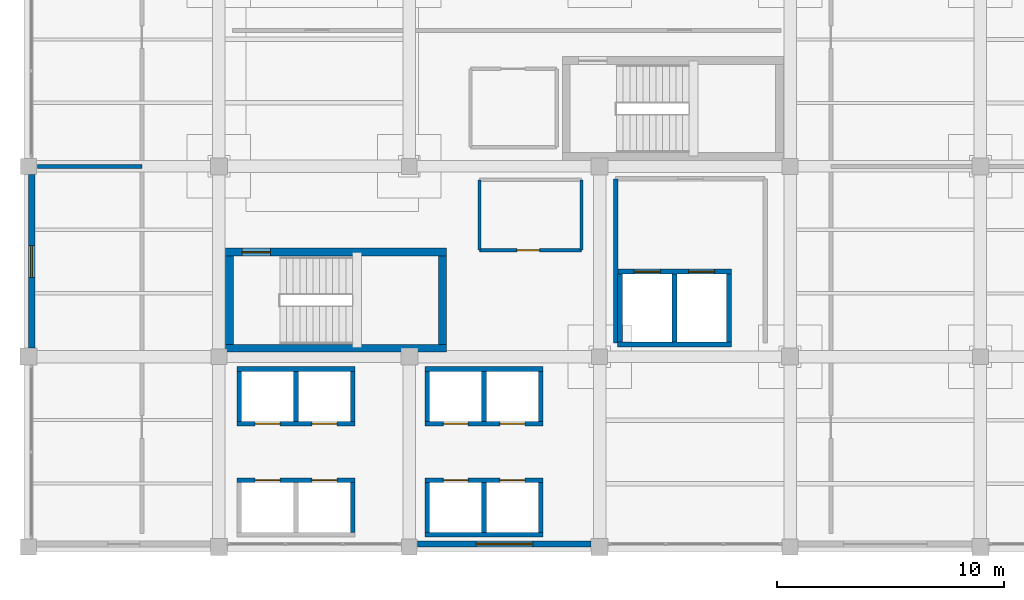
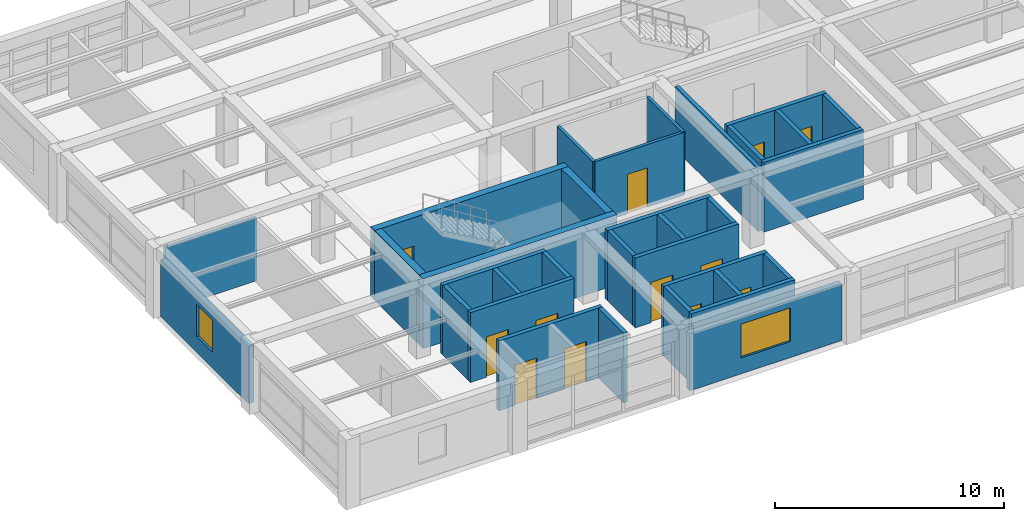
# One storey, part 28 of 31: 33 walls, 12 doors, 2 windows, 14 openings.
"""IFC4 building model written with IfcOpenShell, lengths in metres."""

from ifc_helpers import new_model, si_unit, direction, frame, frame_2d, origin, place, context, subcontext, project, spatial, rectangle, extrude, material, layer, layer_set, type_object, element, fill, save


model = new_model("IFC4")

# Units and contexts
model_context = context("Model", 3, precision=1e-05, world=origin(), true_north=direction((0.0, 1.0)))
body_context = subcontext(model_context, "Body", "Model", "MODEL_VIEW")
ifc_project = project(units=[si_unit("LENGTHUNIT", "METRE"), si_unit("AREAUNIT", "SQUARE_METRE"), si_unit("VOLUMEUNIT", "CUBIC_METRE"), si_unit("PLANEANGLEUNIT", "RADIAN"), si_unit("MASSUNIT", "GRAM", prefix="KILO")], contexts=[model_context])

# Site, building, storey
site_placement = place(None, origin())
site = spatial("IfcSite", under=ifc_project, at=site_placement, CompositionType="ELEMENT")
building_placement = place(site_placement, origin())
building = spatial("IfcBuilding", under=site, at=building_placement, Name="Almacenes y Pasaje Nevantli", CompositionType="ELEMENT")
storey_placement = place(building_placement, frame((0.0, 0.0, 34.699951171875)))
storey = spatial("IfcBuildingStorey", under=building, at=storey_placement, Name="L08", CompositionType="ELEMENT", Elevation=34.699951171875)

# Walls
ifc_material_1 = material(Name="Insulated Double-Gypsum Fire Partition", Category="gypsum")
ifc_layer_1 = layer(ifc_material_1, 0.179931640625)
ifc_layer_set_1 = layer_set([ifc_layer_1], Name="Insulated Double-Gypsum Fire Partition")
wall_type_1 = type_object("IfcWallType", Name="WL-COMP-180", PredefinedType="PARTITIONING", material=ifc_layer_set_1)
wall_1_placement = place(storey_placement, frame((109.60009765625, 84.0, 0.0), z_axis=(0.0, 0.0, 1.0), x_axis=(1.0, 0.0, 0.0)))
element("IfcWall", 1, at=wall_1_placement, inside=storey, type_object=wall_type_1, Name="L08 Interior Partition Wall IW-180 #155", PredefinedType="PARTITIONING", context=body_context, shape_type="SweptSolid", body=[
    extrude(rectangle(XDim=4.599853515625, YDim=0.179931640625, at=frame_2d((2.2998046875, 0.0))), origin(), (0.0, 0.0, 1.0), 3.340087890625),
])
ifc_material_2 = material(Name="Fire-Rated Concrete Blockwork", Category="masonry")
ifc_layer_2 = layer(ifc_material_2, 0.199951171875)
ifc_layer_set_2 = layer_set([ifc_layer_2], Name="Fire-Rated Concrete Blockwork")
wall_type_2 = type_object("IfcWallType", Name="WL-COMP-200", PredefinedType="PARTITIONING", material=ifc_layer_set_2)
wall_2_placement = place(storey_placement, frame((135.10009765625, 76.199951171875, 0.0), z_axis=(0.0, 0.0, 1.0), x_axis=(0.0, 1.0, 0.0)))
element("IfcWall", 2, at=wall_2_placement, inside=storey, type_object=wall_type_2, Name="L08 Interior Partition Wall IW-200 #144", PredefinedType="PARTITIONING", context=body_context, shape_type="SweptSolid", body=[
    extrude(rectangle(XDim=7.25, YDim=0.199951171875, at=frame_2d((3.625, 0.0))), origin(), (0.0, 0.0, 1.0), 3.340087890625),
])
ifc_material_3 = material(Name="Concrete C45/55", Category="concrete")
ifc_layer_3 = layer(ifc_material_3, 0.35009765625)
ifc_layer_set_3 = layer_set([ifc_layer_3], Name="Concrete C45/55")
wall_type_3 = type_object("IfcWallType", Name="WL-CORE-350", PredefinedType="SHEAR", material=ifc_layer_set_3)
wall_3_placement = place(storey_placement, frame((117.89990234375, 75.97509765625, 0.0), z_axis=(0.0, 0.0, 1.0), x_axis=(1.0, 0.0, 0.0)))
element("IfcWall", 3, at=wall_3_placement, inside=storey, type_object=wall_type_3, Name="L08 Exit Stair ST-01 South Core Shear Wall", PredefinedType="SHEAR", context=body_context, shape_type="SweptSolid", body=[
    extrude(rectangle(XDim=9.75, YDim=0.35009765625, at=frame_2d((4.875, 0.0))), origin(), (0.0, 0.0, 1.0), 3.719970703125),
])

# Wall, opening, door
wall_4_placement = place(storey_placement, frame((117.89990234375, 80.215087890625, 0.0), z_axis=(0.0, 0.0, 1.0), x_axis=(1.0, 0.0, 0.0)))
wall_4 = element("IfcWall", 4, at=wall_4_placement, inside=storey, type_object=wall_type_3, Name="L08 Exit Stair ST-01 North Core Shear Wall", PredefinedType="SHEAR", context=body_context, shape_type="SweptSolid", body=[
    extrude(rectangle(XDim=9.75, YDim=0.35009765625, at=frame_2d((4.875, 0.0))), origin(), (0.0, 0.0, 1.0), 3.719970703125),
])
opening_1_placement = place(wall_4_placement, frame((0.719970703125, 0.0, 0.0)))
opening_1 = element("IfcOpeningElement", 5, at=opening_1_placement, cuts=wall_4, Name="Opening SD-01-L08", PredefinedType="OPENING", context=body_context, shape_type="SweptSolid", body=[
    extrude(rectangle(XDim=1.25, YDim=2.199951171875, at=frame_2d((0.625, 1.10009765625))), frame((0.0, 0.18505859375, 0.0), z_axis=(0.0, -1.0, 0.0), x_axis=(1.0, 0.0, 0.0)), (0.0, 0.0, 1.0), 0.3701171875),
])
ifc_material_4 = material(Name="Galvanized Fire-Rated Steel", Category="steel")
door_type_1 = type_object("IfcDoorType", Name="DR-STAIR-1250", OperationType="SINGLE_SWING_LEFT", PredefinedType="DOOR", material=ifc_material_4)
door_1_placement = place(opening_1_placement, origin())
door_1 = element("IfcDoor", 6, at=door_1_placement, inside=storey, type_object=door_type_1, Name="L08 Smokeproof Exit Stair ST-01 Fire Door", OperationType="SINGLE_SWING_LEFT", OverallHeight=2.199951171875, OverallWidth=1.25, PredefinedType="DOOR", context=body_context, shape_type="SweptSolid", body=[
    extrude(rectangle(XDim=1.25, YDim=2.199951171875, at=frame_2d((0.625, 1.10009765625))), frame((0.0, 0.02490234375, 0.0), z_axis=(0.0, -1.0, 0.0), x_axis=(1.0, 0.0, 0.0)), (0.0, 0.0, 1.0), 0.050048828125),
])
fill(opening_1, door_1)

# Walls
for number, where, z_axis, x_axis, name in (
    (7, (118.074951171875, 76.14990234375, 0.0), (0.0, 0.0, 1.0), (0.0, 1.0, 0.0), "L08 Exit Stair ST-01 West Core Shear Wall"),
    (8, (127.47509765625, 76.14990234375, 0.0), (0.0, 0.0, 1.0), (0.0, 1.0, 0.0), "L08 Exit Stair ST-01 East Core Shear Wall"),
):
    element("IfcWall", number, at=place(storey_placement, frame(where, z_axis=z_axis, x_axis=x_axis)), inside=storey, type_object=wall_type_3, Name=name, PredefinedType="SHEAR", context=body_context, shape_type="SweptSolid", body=[
        extrude(rectangle(XDim=3.89013671875, YDim=0.35009765625, at=frame_2d((1.945068359375, 0.0))), origin(), (0.0, 0.0, 1.0), 3.719970703125),
    ])

# Wall, opening, window
ifc_material_5 = material(Name="Architectural Precast Concrete C35/45 Spandrel Wall", Category="concrete")
ifc_layer_4 = layer(ifc_material_5, 0.280029296875)
ifc_layer_set_4 = layer_set([ifc_layer_4], Name="Architectural Precast Concrete C35/45 Spandrel Wall")
wall_type_4 = type_object("IfcWallType", Name="WL-EXT-CANTERA-280", PredefinedType="SOLIDWALL", material=ifc_layer_set_4)
wall_5_placement = place(storey_placement, frame((109.340087890625, 75.97802734375, 0.0), z_axis=(0.0, 0.0, 1.0), x_axis=(0.0, 1.0, 0.0)))
wall_5 = element("IfcWall", 9, at=wall_5_placement, inside=storey, type_object=wall_type_4, Name="L08 Tower West Cantera Wall Bay 10", PredefinedType="SOLIDWALL", context=body_context, shape_type="SweptSolid", body=[
    extrude(rectangle(XDim=7.669921875, YDim=0.280029296875, at=frame_2d((3.8349609375, 0.0))), origin(), (0.0, 0.0, 1.0), 3.0400390625),
])
opening_2_placement = place(wall_5_placement, frame((3.1220703125, 0.0, 0.85009765625)))
opening_2 = element("IfcOpeningElement", 10, at=opening_2_placement, cuts=wall_5, Name="Opening WT-34-219", PredefinedType="OPENING", context=body_context, shape_type="SweptSolid", body=[
    extrude(rectangle(XDim=1.39990234375, YDim=1.699951171875, at=frame_2d((0.699951171875, 0.85009765625))), frame((0.0, 0.14990234375, 0.0), z_axis=(0.0, -1.0, 0.0), x_axis=(1.0, 0.0, 0.0)), (0.0, 0.0, 1.0), 0.300048828125),
])
ifc_material_6 = material(Name="Thermally Broken Aluminium and Low-E Double Glazing", Category="aluminium")
window_type_1 = type_object("IfcWindowType", Name="WN-TWR-1400x1700", PartitioningType="SINGLE_PANEL", PredefinedType="WINDOW", material=ifc_material_6)
window_1_placement = place(opening_2_placement, origin())
window_1 = element("IfcWindow", 11, at=window_1_placement, inside=storey, type_object=window_type_1, Name="L08 Exterior Window WT-34 #219", OverallHeight=1.699951171875, OverallWidth=1.39990234375, PartitioningType="SINGLE_PANEL", PredefinedType="WINDOW", context=body_context, shape_type="SweptSolid", body=[
    extrude(rectangle(XDim=1.39990234375, YDim=1.699951171875, at=frame_2d((0.699951171875, 0.85009765625))), frame((0.0, 0.030029296875, 0.0), z_axis=(0.0, -1.0, 0.0), x_axis=(1.0, 0.0, 0.0)), (0.0, 0.0, 1.0), 0.06005859375),
])
fill(opening_2, window_1)

ifc_material_7 = material(Name="Cream Architectural Precast Concrete C35/45 Wall", Category="concrete")
ifc_layer_5 = layer(ifc_material_7, 0.260009765625)
ifc_layer_set_5 = layer_set([ifc_layer_5], Name="Cream Architectural Precast Concrete C35/45 Wall")
wall_type_5 = type_object("IfcWallType", Name="WL-EXT-PRECAST-260", PredefinedType="SOLIDWALL", material=ifc_layer_set_5)
wall_6_placement = place(storey_placement, frame((126.35205078125, 67.340087890625, 0.0), z_axis=(0.0, 0.0, 1.0), x_axis=(1.0, 0.0, 0.0)))
wall_6 = element("IfcWall", 12, at=wall_6_placement, inside=storey, type_object=wall_type_5, Name="L08 Tower South Precast Spandrel Wall Bay 16", PredefinedType="SOLIDWALL", context=body_context, shape_type="SweptSolid", body=[
    extrude(rectangle(XDim=7.669921875, YDim=0.260009765625, at=frame_2d((3.8349609375, 0.0))), origin(), (0.0, 0.0, 1.0), 3.0400390625),
])
opening_3_placement = place(wall_6_placement, frame((2.597900390625, 0.0, 0.85009765625)))
opening_3 = element("IfcOpeningElement", 13, at=opening_3_placement, cuts=wall_6, Name="Opening WT-30-214", PredefinedType="OPENING", context=body_context, shape_type="SweptSolid", body=[
    extrude(rectangle(XDim=2.5, YDim=1.800048828125, at=frame_2d((1.25, 0.89990234375))), frame((0.0, 0.139892578125, 0.0), z_axis=(0.0, -1.0, 0.0), x_axis=(1.0, 0.0, 0.0)), (0.0, 0.0, 1.0), 0.280029296875),
])
ifc_material_8 = material(Name="Thermally Broken Aluminium and Low-E Double Glazing", Category="aluminium")
window_type_2 = type_object("IfcWindowType", Name="WN-TWR-2500x1800", PartitioningType="SINGLE_PANEL", PredefinedType="WINDOW", material=ifc_material_8)
window_2_placement = place(opening_3_placement, origin())
window_2 = element("IfcWindow", 14, at=window_2_placement, inside=storey, type_object=window_type_2, Name="L08 Exterior Window WT-30 #214", OverallHeight=1.800048828125, OverallWidth=2.5, PartitioningType="SINGLE_PANEL", PredefinedType="WINDOW", context=body_context, shape_type="SweptSolid", body=[
    extrude(rectangle(XDim=2.5, YDim=1.800048828125, at=frame_2d((1.25, 0.89990234375))), frame((0.0, 0.030029296875, 0.0), z_axis=(0.0, -1.0, 0.0), x_axis=(1.0, 0.0, 0.0)), (0.0, 0.0, 1.0), 0.06005859375),
])
fill(opening_3, window_2)

# Wall, opening, door
ifc_material_9 = material(Name="Acoustic Steel-Stud Gypsum Partition", Category="steel")
ifc_layer_6 = layer(ifc_material_9, 0.14990234375)
ifc_layer_set_6 = layer_set([ifc_layer_6], Name="Acoustic Steel-Stud Gypsum Partition")
wall_type_6 = type_object("IfcWallType", Name="WL-PART-150", PredefinedType="PARTITIONING", material=ifc_layer_set_6)
wall_7_placement = place(storey_placement, frame((129.10009765625, 80.300048828125, 0.0), z_axis=(0.0, 0.0, 1.0), x_axis=(1.0, 0.0, 0.0)))
wall_7 = element("IfcWall", 15, at=wall_7_placement, inside=storey, type_object=wall_type_6, Name="L08 Interior Partition Wall IW-150 #146", PredefinedType="PARTITIONING", context=body_context, shape_type="SweptSolid", body=[
    extrude(rectangle(XDim=4.5, YDim=0.14990234375, at=frame_2d((2.25, 0.0))), origin(), (0.0, 0.0, 1.0), 3.340087890625),
])
opening_4_placement = place(wall_7_placement, frame((1.64990234375, 0.0, 0.0)))
opening_4 = element("IfcOpeningElement", 16, at=opening_4_placement, cuts=wall_7, Name="Opening ID-L08-080", PredefinedType="OPENING", context=body_context, shape_type="SweptSolid", body=[
    extrude(rectangle(XDim=1.0, YDim=2.10009765625, at=frame_2d((0.5, 1.050048828125))), frame((0.0, 0.0849609375, 0.0), z_axis=(0.0, -1.0, 0.0), x_axis=(1.0, 0.0, 0.0)), (0.0, 0.0, 1.0), 0.169921875),
])
ifc_material_10 = material(Name="Powder-Coated Hollow Metal", Category="steel")
door_type_2 = type_object("IfcDoorType", Name="DR-INT-1000", OperationType="SINGLE_SWING_LEFT", PredefinedType="DOOR", material=ifc_material_10)
door_2_placement = place(opening_4_placement, origin())
door_2 = element("IfcDoor", 17, at=door_2_placement, inside=storey, type_object=door_type_2, Name="L08 Staff and Public WC Door", OperationType="SINGLE_SWING_LEFT", OverallHeight=2.10009765625, OverallWidth=1.0, PredefinedType="DOOR", context=body_context, shape_type="SweptSolid", body=[
    extrude(rectangle(XDim=1.0, YDim=2.10009765625, at=frame_2d((0.5, 1.050048828125))), frame((0.0, 0.02490234375, 0.0), z_axis=(0.0, -1.0, 0.0), x_axis=(1.0, 0.0, 0.0)), (0.0, 0.0, 1.0), 0.050048828125),
])
fill(opening_4, door_2)

# Walls
for number, where, z_axis, x_axis, name in (
    (18, (129.10009765625, 80.300048828125, 0.0), (0.0, 0.0, 1.0), (0.0, 1.0, 0.0), "L08 Interior Partition Wall IW-150 #148"),
    (19, (133.60009765625, 80.300048828125, 0.0), (0.0, 0.0, 1.0), (0.0, 1.0, 0.0), "L08 Interior Partition Wall IW-150 #149"),
):
    element("IfcWall", number, at=place(storey_placement, frame(where, z_axis=z_axis, x_axis=x_axis)), inside=storey, type_object=wall_type_6, Name=name, PredefinedType="PARTITIONING", context=body_context, shape_type="SweptSolid", body=[
        extrude(rectangle(XDim=3.099853515625, YDim=0.14990234375, at=frame_2d((1.5498046875, 0.0))), origin(), (0.0, 0.0, 1.0), 3.340087890625),
    ])
ifc_material_11 = material(Name="Concrete C45/55", Category="concrete")
ifc_layer_7 = layer(ifc_material_11, 0.2099609375)
ifc_layer_set_7 = layer_set([ifc_layer_7], Name="Concrete C45/55")
wall_type_7 = type_object("IfcWallType", Name="WL-SHAFT-210", PredefinedType="SHEAR", material=ifc_layer_set_7)
wall_8_placement = place(storey_placement, frame((126.68994140625, 67.7451171875, 0.0), z_axis=(0.0, 0.0, 1.0), x_axis=(1.0, 0.0, 0.0)))
element("IfcWall", 20, at=wall_8_placement, inside=storey, type_object=wall_type_7, Name="L08 Lift Hoistway ELV-P01-ELV-P02 South Wall", PredefinedType="SHEAR", context=body_context, shape_type="SweptSolid", body=[
    extrude(rectangle(XDim=5.219970703125, YDim=0.2099609375, at=frame_2d((2.60986328125, 0.0))), origin(), (0.0, 0.0, 1.0), 3.719970703125),
])

# Wall, openings, doors
wall_9_placement = place(storey_placement, frame((126.68994140625, 70.155029296875, 0.0), z_axis=(0.0, 0.0, 1.0), x_axis=(1.0, 0.0, 0.0)))
wall_9 = element("IfcWall", 21, at=wall_9_placement, inside=storey, type_object=wall_type_7, Name="L08 Lift Hoistway ELV-P01-ELV-P02 North Wall", PredefinedType="SHEAR", context=body_context, shape_type="SweptSolid", body=[
    extrude(rectangle(XDim=5.219970703125, YDim=0.2099609375, at=frame_2d((2.60986328125, 0.0))), origin(), (0.0, 0.0, 1.0), 3.719970703125),
])
opening_5_placement = place(wall_9_placement, frame((0.81005859375, 0.0, 0.0)))
opening_5 = element("IfcOpeningElement", 22, at=opening_5_placement, cuts=wall_9, Name="Opening LD-P01-L08", PredefinedType="OPENING", context=body_context, shape_type="SweptSolid", body=[
    extrude(rectangle(XDim=1.10009765625, YDim=2.14990234375, at=frame_2d((0.550048828125, 1.074951171875))), frame((0.0, 0.114990234375, 0.0), z_axis=(0.0, -1.0, 0.0), x_axis=(1.0, 0.0, 0.0)), (0.0, 0.0, 1.0), 0.22998046875),
])
opening_6_placement = place(wall_9_placement, frame((3.31005859375, 0.0, 0.0)))
opening_6 = element("IfcOpeningElement", 23, at=opening_6_placement, cuts=wall_9, Name="Opening LD-P02-L08", PredefinedType="OPENING", context=body_context, shape_type="SweptSolid", body=[
    extrude(rectangle(XDim=1.10009765625, YDim=2.14990234375, at=frame_2d((0.550048828125, 1.074951171875))), frame((0.0, 0.114990234375, 0.0), z_axis=(0.0, -1.0, 0.0), x_axis=(1.0, 0.0, 0.0)), (0.0, 0.0, 1.0), 0.22998046875),
])
ifc_material_12 = material(Name="Brushed Stainless Steel", Category="steel")
door_type_3 = type_object("IfcDoorType", Name="DR-LD-PASS-1100", OperationType="DOUBLE_DOOR_SLIDING", PredefinedType="DOOR", material=ifc_material_12)
door_3_placement = place(opening_5_placement, origin())
door_3 = element("IfcDoor", 24, at=door_3_placement, inside=storey, type_object=door_type_3, Name="Lift Landing Door ELV-P01 L08", OperationType="DOUBLE_DOOR_SLIDING", OverallHeight=2.14990234375, OverallWidth=1.10009765625, PredefinedType="DOOR", context=body_context, shape_type="SweptSolid", body=[
    extrude(rectangle(XDim=1.10009765625, YDim=2.14990234375, at=frame_2d((0.550048828125, 1.074951171875))), frame((0.0, 0.02490234375, 0.0), z_axis=(0.0, -1.0, 0.0), x_axis=(1.0, 0.0, 0.0)), (0.0, 0.0, 1.0), 0.050048828125),
])
fill(opening_5, door_3)
door_4_placement = place(opening_6_placement, origin())
door_4 = element("IfcDoor", 25, at=door_4_placement, inside=storey, type_object=door_type_3, Name="Lift Landing Door ELV-P02 L08", OperationType="DOUBLE_DOOR_SLIDING", OverallHeight=2.14990234375, OverallWidth=1.10009765625, PredefinedType="DOOR", context=body_context, shape_type="SweptSolid", body=[
    extrude(rectangle(XDim=1.10009765625, YDim=2.14990234375, at=frame_2d((0.550048828125, 1.074951171875))), frame((0.0, 0.02490234375, 0.0), z_axis=(0.0, -1.0, 0.0), x_axis=(1.0, 0.0, 0.0)), (0.0, 0.0, 1.0), 0.050048828125),
])
fill(opening_6, door_4)

# Walls
for number, where, z_axis, x_axis, name in (
    (26, (126.794921875, 67.85009765625, 0.0), (0.0, 0.0, 1.0), (0.0, 1.0, 0.0), "L08 Lift Hoistway ELV-P01 West Wall"),
    (27, (131.804931640625, 67.85009765625, 0.0), (0.0, 0.0, 1.0), (0.0, 1.0, 0.0), "L08 Lift Hoistway ELV-P02 East Wall"),
    (28, (129.300048828125, 67.85009765625, 0.0), (0.0, 0.0, 1.0), (0.0, 1.0, 0.0), "L08 Lift Hoistway Divider Wall ELV-P01/ELV-P02"),
):
    element("IfcWall", number, at=place(storey_placement, frame(where, z_axis=z_axis, x_axis=x_axis)), inside=storey, type_object=wall_type_7, Name=name, PredefinedType="SHEAR", context=body_context, shape_type="SweptSolid", body=[
        extrude(rectangle(XDim=2.199951171875, YDim=0.2099609375, at=frame_2d((1.10009765625, 0.0))), origin(), (0.0, 0.0, 1.0), 3.719970703125),
    ])

# Wall, openings, doors
wall_10_placement = place(storey_placement, frame((126.68994140625, 72.64501953125, 0.0), z_axis=(0.0, 0.0, 1.0), x_axis=(1.0, 0.0, 0.0)))
wall_10 = element("IfcWall", 29, at=wall_10_placement, inside=storey, type_object=wall_type_7, Name="L08 Lift Hoistway ELV-P03-ELV-P04 South Wall", PredefinedType="SHEAR", context=body_context, shape_type="SweptSolid", body=[
    extrude(rectangle(XDim=5.219970703125, YDim=0.2099609375, at=frame_2d((2.60986328125, 0.0))), origin(), (0.0, 0.0, 1.0), 3.719970703125),
])
opening_7_placement = place(wall_10_placement, frame((0.81005859375, 0.0, 0.0)))
opening_7 = element("IfcOpeningElement", 30, at=opening_7_placement, cuts=wall_10, Name="Opening LD-P03-L08", PredefinedType="OPENING", context=body_context, shape_type="SweptSolid", body=[
    extrude(rectangle(XDim=1.10009765625, YDim=2.14990234375, at=frame_2d((0.550048828125, 1.074951171875))), frame((0.0, 0.114990234375, 0.0), z_axis=(0.0, -1.0, 0.0), x_axis=(1.0, 0.0, 0.0)), (0.0, 0.0, 1.0), 0.22998046875),
])
opening_8_placement = place(wall_10_placement, frame((3.31005859375, 0.0, 0.0)))
opening_8 = element("IfcOpeningElement", 31, at=opening_8_placement, cuts=wall_10, Name="Opening LD-P04-L08", PredefinedType="OPENING", context=body_context, shape_type="SweptSolid", body=[
    extrude(rectangle(XDim=1.10009765625, YDim=2.14990234375, at=frame_2d((0.550048828125, 1.074951171875))), frame((0.0, 0.114990234375, 0.0), z_axis=(0.0, -1.0, 0.0), x_axis=(1.0, 0.0, 0.0)), (0.0, 0.0, 1.0), 0.22998046875),
])
door_5_placement = place(opening_7_placement, origin())
door_5 = element("IfcDoor", 32, at=door_5_placement, inside=storey, type_object=door_type_3, Name="Lift Landing Door ELV-P03 L08", OperationType="DOUBLE_DOOR_SLIDING", OverallHeight=2.14990234375, OverallWidth=1.10009765625, PredefinedType="DOOR", context=body_context, shape_type="SweptSolid", body=[
    extrude(rectangle(XDim=1.10009765625, YDim=2.14990234375, at=frame_2d((0.550048828125, 1.074951171875))), frame((0.0, 0.02490234375, 0.0), z_axis=(0.0, -1.0, 0.0), x_axis=(1.0, 0.0, 0.0)), (0.0, 0.0, 1.0), 0.050048828125),
])
fill(opening_7, door_5)
door_6_placement = place(opening_8_placement, origin())
door_6 = element("IfcDoor", 33, at=door_6_placement, inside=storey, type_object=door_type_3, Name="Lift Landing Door ELV-P04 L08", OperationType="DOUBLE_DOOR_SLIDING", OverallHeight=2.14990234375, OverallWidth=1.10009765625, PredefinedType="DOOR", context=body_context, shape_type="SweptSolid", body=[
    extrude(rectangle(XDim=1.10009765625, YDim=2.14990234375, at=frame_2d((0.550048828125, 1.074951171875))), frame((0.0, 0.02490234375, 0.0), z_axis=(0.0, -1.0, 0.0), x_axis=(1.0, 0.0, 0.0)), (0.0, 0.0, 1.0), 0.050048828125),
])
fill(opening_8, door_6)

# Walls
wall_11_placement = place(storey_placement, frame((126.68994140625, 75.054931640625, 0.0), z_axis=(0.0, 0.0, 1.0), x_axis=(1.0, 0.0, 0.0)))
element("IfcWall", 34, at=wall_11_placement, inside=storey, type_object=wall_type_7, Name="L08 Lift Hoistway ELV-P03-ELV-P04 North Wall", PredefinedType="SHEAR", context=body_context, shape_type="SweptSolid", body=[
    extrude(rectangle(XDim=5.219970703125, YDim=0.2099609375, at=frame_2d((2.60986328125, 0.0))), origin(), (0.0, 0.0, 1.0), 3.719970703125),
])
for number, where, z_axis, x_axis, name in (
    (35, (126.794921875, 72.75, 0.0), (0.0, 0.0, 1.0), (0.0, 1.0, 0.0), "L08 Lift Hoistway ELV-P03 West Wall"),
    (36, (131.804931640625, 72.75, 0.0), (0.0, 0.0, 1.0), (0.0, 1.0, 0.0), "L08 Lift Hoistway ELV-P04 East Wall"),
    (37, (129.300048828125, 72.75, 0.0), (0.0, 0.0, 1.0), (0.0, 1.0, 0.0), "L08 Lift Hoistway Divider Wall ELV-P03/ELV-P04"),
):
    element("IfcWall", number, at=place(storey_placement, frame(where, z_axis=z_axis, x_axis=x_axis)), inside=storey, type_object=wall_type_7, Name=name, PredefinedType="SHEAR", context=body_context, shape_type="SweptSolid", body=[
        extrude(rectangle(XDim=2.199951171875, YDim=0.2099609375, at=frame_2d((1.10009765625, 0.0))), origin(), (0.0, 0.0, 1.0), 3.719970703125),
    ])

# Wall, openings, doors
wall_12_placement = place(storey_placement, frame((118.389892578125, 70.155029296875, 0.0), z_axis=(0.0, 0.0, 1.0), x_axis=(1.0, 0.0, 0.0)))
wall_12 = element("IfcWall", 38, at=wall_12_placement, inside=storey, type_object=wall_type_7, Name="L08 Lift Hoistway ELV-P05-ELV-P06 North Wall", PredefinedType="SHEAR", context=body_context, shape_type="SweptSolid", body=[
    extrude(rectangle(XDim=5.22021484375, YDim=0.2099609375, at=frame_2d((2.610107421875, 0.0))), origin(), (0.0, 0.0, 1.0), 3.719970703125),
])
opening_9_placement = place(wall_12_placement, frame((0.81005859375, 0.0, 0.0)))
opening_9 = element("IfcOpeningElement", 39, at=opening_9_placement, cuts=wall_12, Name="Opening LD-P05-L08", PredefinedType="OPENING", context=body_context, shape_type="SweptSolid", body=[
    extrude(rectangle(XDim=1.10009765625, YDim=2.14990234375, at=frame_2d((0.550048828125, 1.074951171875))), frame((0.0, 0.114990234375, 0.0), z_axis=(0.0, -1.0, 0.0), x_axis=(1.0, 0.0, 0.0)), (0.0, 0.0, 1.0), 0.22998046875),
])
opening_10_placement = place(wall_12_placement, frame((3.31005859375, 0.0, 0.0)))
opening_10 = element("IfcOpeningElement", 40, at=opening_10_placement, cuts=wall_12, Name="Opening LD-P06-L08", PredefinedType="OPENING", context=body_context, shape_type="SweptSolid", body=[
    extrude(rectangle(XDim=1.10009765625, YDim=2.14990234375, at=frame_2d((0.550048828125, 1.074951171875))), frame((0.0, 0.114990234375, 0.0), z_axis=(0.0, -1.0, 0.0), x_axis=(1.0, 0.0, 0.0)), (0.0, 0.0, 1.0), 0.22998046875),
])
door_7_placement = place(opening_9_placement, origin())
door_7 = element("IfcDoor", 41, at=door_7_placement, inside=storey, type_object=door_type_3, Name="Lift Landing Door ELV-P05 L08", OperationType="DOUBLE_DOOR_SLIDING", OverallHeight=2.14990234375, OverallWidth=1.10009765625, PredefinedType="DOOR", context=body_context, shape_type="SweptSolid", body=[
    extrude(rectangle(XDim=1.10009765625, YDim=2.14990234375, at=frame_2d((0.550048828125, 1.074951171875))), frame((0.0, 0.02490234375, 0.0), z_axis=(0.0, -1.0, 0.0), x_axis=(1.0, 0.0, 0.0)), (0.0, 0.0, 1.0), 0.050048828125),
])
fill(opening_9, door_7)
door_8_placement = place(opening_10_placement, origin())
door_8 = element("IfcDoor", 42, at=door_8_placement, inside=storey, type_object=door_type_3, Name="Lift Landing Door ELV-P06 L08", OperationType="DOUBLE_DOOR_SLIDING", OverallHeight=2.14990234375, OverallWidth=1.10009765625, PredefinedType="DOOR", context=body_context, shape_type="SweptSolid", body=[
    extrude(rectangle(XDim=1.10009765625, YDim=2.14990234375, at=frame_2d((0.550048828125, 1.074951171875))), frame((0.0, 0.02490234375, 0.0), z_axis=(0.0, -1.0, 0.0), x_axis=(1.0, 0.0, 0.0)), (0.0, 0.0, 1.0), 0.050048828125),
])
fill(opening_10, door_8)

# Wall
wall_13_placement = place(storey_placement, frame((123.5048828125, 67.85009765625, 0.0), z_axis=(0.0, 0.0, 1.0), x_axis=(0.0, 1.0, 0.0)))
element("IfcWall", 43, at=wall_13_placement, inside=storey, type_object=wall_type_7, Name="L08 Lift Hoistway ELV-P06 East Wall", PredefinedType="SHEAR", context=body_context, shape_type="SweptSolid", body=[
    extrude(rectangle(XDim=2.199951171875, YDim=0.2099609375, at=frame_2d((1.10009765625, 0.0))), origin(), (0.0, 0.0, 1.0), 3.719970703125),
])

# Wall, openings, doors
wall_14_placement = place(storey_placement, frame((118.389892578125, 72.64501953125, 0.0), z_axis=(0.0, 0.0, 1.0), x_axis=(1.0, 0.0, 0.0)))
wall_14 = element("IfcWall", 44, at=wall_14_placement, inside=storey, type_object=wall_type_7, Name="L08 Lift Hoistway ELV-P07-ELV-P08 South Wall", PredefinedType="SHEAR", context=body_context, shape_type="SweptSolid", body=[
    extrude(rectangle(XDim=5.22021484375, YDim=0.2099609375, at=frame_2d((2.610107421875, 0.0))), origin(), (0.0, 0.0, 1.0), 3.719970703125),
])
opening_11_placement = place(wall_14_placement, frame((0.81005859375, 0.0, 0.0)))
opening_11 = element("IfcOpeningElement", 45, at=opening_11_placement, cuts=wall_14, Name="Opening LD-P07-L08", PredefinedType="OPENING", context=body_context, shape_type="SweptSolid", body=[
    extrude(rectangle(XDim=1.10009765625, YDim=2.14990234375, at=frame_2d((0.550048828125, 1.074951171875))), frame((0.0, 0.114990234375, 0.0), z_axis=(0.0, -1.0, 0.0), x_axis=(1.0, 0.0, 0.0)), (0.0, 0.0, 1.0), 0.22998046875),
])
opening_12_placement = place(wall_14_placement, frame((3.31005859375, 0.0, 0.0)))
opening_12 = element("IfcOpeningElement", 46, at=opening_12_placement, cuts=wall_14, Name="Opening LD-P08-L08", PredefinedType="OPENING", context=body_context, shape_type="SweptSolid", body=[
    extrude(rectangle(XDim=1.10009765625, YDim=2.14990234375, at=frame_2d((0.550048828125, 1.074951171875))), frame((0.0, 0.114990234375, 0.0), z_axis=(0.0, -1.0, 0.0), x_axis=(1.0, 0.0, 0.0)), (0.0, 0.0, 1.0), 0.22998046875),
])
door_9_placement = place(opening_11_placement, origin())
door_9 = element("IfcDoor", 47, at=door_9_placement, inside=storey, type_object=door_type_3, Name="Lift Landing Door ELV-P07 L08", OperationType="DOUBLE_DOOR_SLIDING", OverallHeight=2.14990234375, OverallWidth=1.10009765625, PredefinedType="DOOR", context=body_context, shape_type="SweptSolid", body=[
    extrude(rectangle(XDim=1.10009765625, YDim=2.14990234375, at=frame_2d((0.550048828125, 1.074951171875))), frame((0.0, 0.02490234375, 0.0), z_axis=(0.0, -1.0, 0.0), x_axis=(1.0, 0.0, 0.0)), (0.0, 0.0, 1.0), 0.050048828125),
])
fill(opening_11, door_9)
door_10_placement = place(opening_12_placement, origin())
door_10 = element("IfcDoor", 48, at=door_10_placement, inside=storey, type_object=door_type_3, Name="Lift Landing Door ELV-P08 L08", OperationType="DOUBLE_DOOR_SLIDING", OverallHeight=2.14990234375, OverallWidth=1.10009765625, PredefinedType="DOOR", context=body_context, shape_type="SweptSolid", body=[
    extrude(rectangle(XDim=1.10009765625, YDim=2.14990234375, at=frame_2d((0.550048828125, 1.074951171875))), frame((0.0, 0.02490234375, 0.0), z_axis=(0.0, -1.0, 0.0), x_axis=(1.0, 0.0, 0.0)), (0.0, 0.0, 1.0), 0.050048828125),
])
fill(opening_12, door_10)

# Walls
wall_15_placement = place(storey_placement, frame((118.389892578125, 75.054931640625, 0.0), z_axis=(0.0, 0.0, 1.0), x_axis=(1.0, 0.0, 0.0)))
element("IfcWall", 49, at=wall_15_placement, inside=storey, type_object=wall_type_7, Name="L08 Lift Hoistway ELV-P07-ELV-P08 North Wall", PredefinedType="SHEAR", context=body_context, shape_type="SweptSolid", body=[
    extrude(rectangle(XDim=5.22021484375, YDim=0.2099609375, at=frame_2d((2.610107421875, 0.0))), origin(), (0.0, 0.0, 1.0), 3.719970703125),
])
for number, where, z_axis, x_axis, name in (
    (50, (118.4951171875, 72.75, 0.0), (0.0, 0.0, 1.0), (0.0, 1.0, 0.0), "L08 Lift Hoistway ELV-P07 West Wall"),
    (51, (123.5048828125, 72.75, 0.0), (0.0, 0.0, 1.0), (0.0, 1.0, 0.0), "L08 Lift Hoistway ELV-P08 East Wall"),
    (52, (121.0, 72.75, 0.0), (0.0, 0.0, 1.0), (0.0, 1.0, 0.0), "L08 Lift Hoistway Divider Wall ELV-P07/ELV-P08"),
):
    element("IfcWall", number, at=place(storey_placement, frame(where, z_axis=z_axis, x_axis=x_axis)), inside=storey, type_object=wall_type_7, Name=name, PredefinedType="SHEAR", context=body_context, shape_type="SweptSolid", body=[
        extrude(rectangle(XDim=2.199951171875, YDim=0.2099609375, at=frame_2d((1.10009765625, 0.0))), origin(), (0.0, 0.0, 1.0), 3.719970703125),
    ])
wall_16_placement = place(storey_placement, frame((135.18994140625, 76.14501953125, 0.0), z_axis=(0.0, 0.0, 1.0), x_axis=(1.0, 0.0, 0.0)))
element("IfcWall", 53, at=wall_16_placement, inside=storey, type_object=wall_type_7, Name="L08 Lift Hoistway ELV-FF1-ELV-FF2 South Wall", PredefinedType="SHEAR", context=body_context, shape_type="SweptSolid", body=[
    extrude(rectangle(XDim=5.02001953125, YDim=0.2099609375, at=frame_2d((2.510009765625, 0.0))), origin(), (0.0, 0.0, 1.0), 3.719970703125),
])

# Wall, openings, doors
wall_17_placement = place(storey_placement, frame((135.18994140625, 79.35498046875, 0.0), z_axis=(0.0, 0.0, 1.0), x_axis=(1.0, 0.0, 0.0)))
wall_17 = element("IfcWall", 54, at=wall_17_placement, inside=storey, type_object=wall_type_7, Name="L08 Lift Hoistway ELV-FF1-ELV-FF2 North Wall", PredefinedType="SHEAR", context=body_context, shape_type="SweptSolid", body=[
    extrude(rectangle(XDim=5.02001953125, YDim=0.2099609375, at=frame_2d((2.510009765625, 0.0))), origin(), (0.0, 0.0, 1.0), 3.719970703125),
])
opening_13_placement = place(wall_17_placement, frame((0.735107421875, 0.0, 0.0)))
opening_13 = element("IfcOpeningElement", 55, at=opening_13_placement, cuts=wall_17, Name="Opening LD-FF1-L08", PredefinedType="OPENING", context=body_context, shape_type="SweptSolid", body=[
    extrude(rectangle(XDim=1.14990234375, YDim=2.199951171875, at=frame_2d((0.574951171875, 1.10009765625))), frame((0.0, 0.114990234375, 0.0), z_axis=(0.0, -1.0, 0.0), x_axis=(1.0, 0.0, 0.0)), (0.0, 0.0, 1.0), 0.22998046875),
])
opening_14_placement = place(wall_17_placement, frame((3.135009765625, 0.0, 0.0)))
opening_14 = element("IfcOpeningElement", 56, at=opening_14_placement, cuts=wall_17, Name="Opening LD-FF2-L08", PredefinedType="OPENING", context=body_context, shape_type="SweptSolid", body=[
    extrude(rectangle(XDim=1.14990234375, YDim=2.199951171875, at=frame_2d((0.574951171875, 1.10009765625))), frame((0.0, 0.114990234375, 0.0), z_axis=(0.0, -1.0, 0.0), x_axis=(1.0, 0.0, 0.0)), (0.0, 0.0, 1.0), 0.22998046875),
])
ifc_material_13 = material(Name="Fire-Rated Stainless Steel", Category="steel")
door_type_4 = type_object("IfcDoorType", Name="DR-LD-FF-1150", OperationType="DOUBLE_DOOR_SLIDING", PredefinedType="DOOR", material=ifc_material_13)
door_11_placement = place(opening_13_placement, origin())
door_11 = element("IfcDoor", 57, at=door_11_placement, inside=storey, type_object=door_type_4, Name="Lift Landing Door ELV-FF1 L08", OperationType="DOUBLE_DOOR_SLIDING", OverallHeight=2.199951171875, OverallWidth=1.14990234375, PredefinedType="DOOR", context=body_context, shape_type="SweptSolid", body=[
    extrude(rectangle(XDim=1.14990234375, YDim=2.199951171875, at=frame_2d((0.574951171875, 1.10009765625))), frame((0.0, 0.02490234375, 0.0), z_axis=(0.0, -1.0, 0.0), x_axis=(1.0, 0.0, 0.0)), (0.0, 0.0, 1.0), 0.050048828125),
])
fill(opening_13, door_11)
door_12_placement = place(opening_14_placement, origin())
door_12 = element("IfcDoor", 58, at=door_12_placement, inside=storey, type_object=door_type_4, Name="Lift Landing Door ELV-FF2 L08", OperationType="DOUBLE_DOOR_SLIDING", OverallHeight=2.199951171875, OverallWidth=1.14990234375, PredefinedType="DOOR", context=body_context, shape_type="SweptSolid", body=[
    extrude(rectangle(XDim=1.14990234375, YDim=2.199951171875, at=frame_2d((0.574951171875, 1.10009765625))), frame((0.0, 0.02490234375, 0.0), z_axis=(0.0, -1.0, 0.0), x_axis=(1.0, 0.0, 0.0)), (0.0, 0.0, 1.0), 0.050048828125),
])
fill(opening_14, door_12)

# Walls
for number, where, z_axis, x_axis, name in (
    (59, (135.294921875, 76.25, 0.0), (0.0, 0.0, 1.0), (0.0, 1.0, 0.0), "L08 Lift Hoistway ELV-FF1 West Wall"),
    (60, (140.10498046875, 76.25, 0.0), (0.0, 0.0, 1.0), (0.0, 1.0, 0.0), "L08 Lift Hoistway ELV-FF2 East Wall"),
    (61, (137.699951171875, 76.25, 0.0), (0.0, 0.0, 1.0), (0.0, 1.0, 0.0), "L08 Lift Hoistway Divider Wall ELV-FF1/ELV-FF2"),
):
    element("IfcWall", number, at=place(storey_placement, frame(where, z_axis=z_axis, x_axis=x_axis)), inside=storey, type_object=wall_type_7, Name=name, PredefinedType="SHEAR", context=body_context, shape_type="SweptSolid", body=[
        extrude(rectangle(XDim=3.0, YDim=0.2099609375, at=frame_2d((1.5, 0.0))), origin(), (0.0, 0.0, 1.0), 3.719970703125),
    ])

save(model, "model.ifc")
